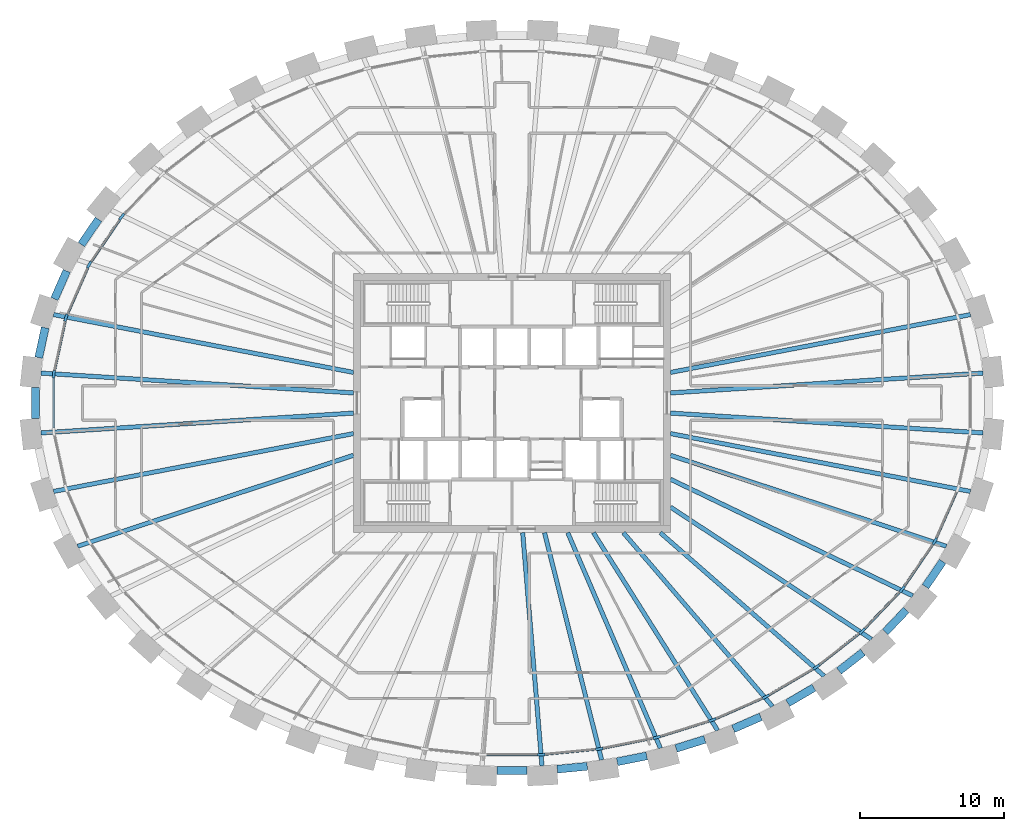
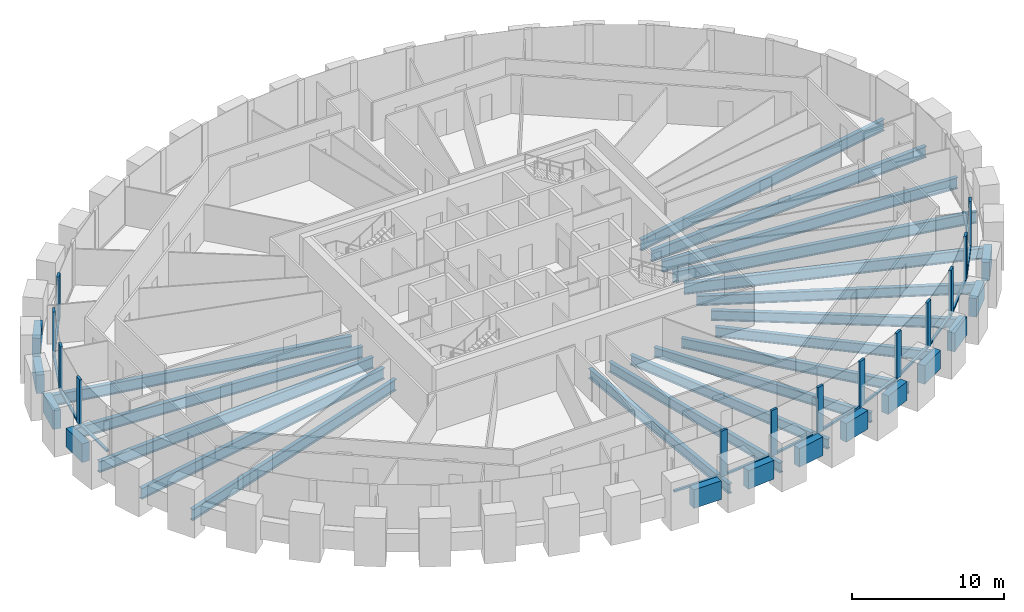
# One storey, part 2 of 12: 31 beams, 27 members, 1 element without a shape of its own.
"""IFC4 building model written with IfcOpenShell, lengths in metres."""

from ifc_helpers import new_model, si_unit, direction, frame, origin, origin_2d, place, context, subcontext, project, spatial, rectangle, i_section, extrude, source, transform, mapped, material, material_profile, profile_set, type_object, element, aggregate, save


model = new_model("IFC4")

# Units and contexts
model_context = context("Model", 3, precision=1e-05, world=origin(), true_north=direction((0.0, 1.0)))
body_context = subcontext(model_context, "Body", "Model", "MODEL_VIEW")
ifc_project = project(units=[si_unit("LENGTHUNIT", "METRE"), si_unit("AREAUNIT", "SQUARE_METRE"), si_unit("VOLUMEUNIT", "CUBIC_METRE"), si_unit("PLANEANGLEUNIT", "RADIAN"), si_unit("MASSUNIT", "GRAM", prefix="KILO")], contexts=[model_context])

# Site, building, storey
site_placement = place(None, origin())
site = spatial("IfcSite", under=ifc_project, at=site_placement, CompositionType="ELEMENT")
building_placement = place(site_placement, origin())
building = spatial("IfcBuilding", under=site, at=building_placement, Name="Embergate Tower", CompositionType="ELEMENT")
storey_placement = place(building_placement, frame((0.0, 0.0, 253.89990234375)))
storey = spatial("IfcBuildingStorey", under=building, at=storey_placement, Name="L58", CompositionType="ELEMENT", Elevation=253.89990234375)

# Beams
ifc_material_1 = material(Name="Concrete C60", Category="concrete")
ifc_material_profile_1 = material_profile(ifc_material_1, rectangle(XDim=0.550048828125, YDim=1.5, at=origin_2d()), Name="RC 550x1500")
ifc_profile_set_1 = profile_set([ifc_material_profile_1], Name="Concrete C60")
beam_type_1 = type_object("IfcBeamType", Name="Spandrel beam RC 550x1500 C60", PredefinedType="BEAM", material=ifc_profile_set_1)
shared_shape_1 = source(origin(), body_context, "Body", "SweptSolid", [
    extrude(rectangle(XDim=0.550048828125, YDim=1.5, at=origin_2d()), origin(), (0.0, 0.0, 1.0), 2.121337890625),
])
beam_1_placement = place(storey_placement, frame((-32.39990234375, 5.222900390625, 0.0), z_axis=(-0.210259959119, -0.977645513257, 0.0), x_axis=(0.977645513257, -0.210259959119, 0.0)))
element("IfcBeam", 1, at=beam_1_placement, inside=storey, type_object=beam_type_1, Name="SPN-L58-20", PredefinedType="BEAM", context=body_context, shape_type="MappedRepresentation", body=[
    mapped(shared_shape_1, transform((0.0, 0.0, 0.0))),
])
shared_shape_2 = source(origin(), body_context, "Body", "SweptSolid", [
    extrude(rectangle(XDim=0.550048828125, YDim=1.5, at=origin_2d()), origin(), (0.0, 0.0, 1.0), 2.118408203125),
])
beam_2_placement = place(storey_placement, frame((-30.903076171875, 9.160888671875, 0.0), z_axis=(-0.401653016285, -0.915791927519, 0.0), x_axis=(0.915791927519, -0.401653016285, 0.0)))
element("IfcBeam", 2, at=beam_2_placement, inside=storey, type_object=beam_type_1, Name="SPN-L58-19", PredefinedType="BEAM", context=body_context, shape_type="MappedRepresentation", body=[
    mapped(shared_shape_2, transform((0.0, 0.0, 0.0))),
])
shared_shape_3 = source(origin(), body_context, "Body", "SweptSolid", [
    extrude(rectangle(XDim=0.550048828125, YDim=1.5, at=origin_2d()), origin(), (0.0, 0.0, 1.0), 2.113525390625),
])
for number, where, z_axis, x_axis, name in (
    (3, (-28.697998046875, 12.74609375, 0.0), (-0.562088832066, -0.827076867569, 0.0), (0.827076867569, -0.562088832066, 0.0), "SPN-L58-18"),
    (4, (28.697998046875, -12.74609375, 0.0), (0.562088832066, 0.827076867569, 0.0), (-0.827076867569, 0.562088832066, 0.0), "SPN-L58-40"),
):
    element("IfcBeam", number, at=place(storey_placement, frame(where, z_axis=z_axis, x_axis=x_axis)), inside=storey, type_object=beam_type_1, Name=name, PredefinedType="BEAM", context=body_context, shape_type="MappedRepresentation", body=[
        mapped(shared_shape_3, transform((0.0, 0.0, 0.0))),
    ])
shared_shape_4 = source(origin(), body_context, "Body", "SweptSolid", [
    extrude(rectangle(XDim=0.550048828125, YDim=1.5, at=origin_2d()), origin(), (0.0, 0.0, 1.0), 2.1064453125),
])
beam_3_placement = place(storey_placement, frame((25.907958984375, -15.89111328125, 0.0), z_axis=(0.690280012813, 0.723542330421, 0.0), x_axis=(-0.723542330421, 0.690280012813, 0.0)))
element("IfcBeam", 5, at=beam_3_placement, inside=storey, type_object=beam_type_1, Name="SPN-L58-39", PredefinedType="BEAM", context=body_context, shape_type="MappedRepresentation", body=[
    mapped(shared_shape_4, transform((0.0, 0.0, 0.0))),
])
shared_shape_5 = source(origin(), body_context, "Body", "SweptSolid", [
    extrude(rectangle(XDim=0.550048828125, YDim=1.5, at=origin_2d()), origin(), (0.0, 0.0, 1.0), 2.101806640625),
])
beam_4_placement = place(storey_placement, frame((22.695068359375, -18.593994140625, 0.0), z_axis=(0.78838173926, 0.615186340227, 0.0), x_axis=(-0.615186340227, 0.78838173926, 0.0)))
element("IfcBeam", 6, at=beam_4_placement, inside=storey, type_object=beam_type_1, Name="SPN-L58-38", PredefinedType="BEAM", context=body_context, shape_type="MappedRepresentation", body=[
    mapped(shared_shape_5, transform((0.0, 0.0, 0.0))),
])
shared_shape_6 = source(origin(), body_context, "Body", "SweptSolid", [
    extrude(rectangle(XDim=0.550048828125, YDim=1.5, at=origin_2d()), origin(), (0.0, 0.0, 1.0), 2.097412109375),
])
beam_5_placement = place(storey_placement, frame((19.138916015625, -20.821044921875, 0.0), z_axis=(0.862059864985, 0.506806461267, 0.0), x_axis=(-0.506806461267, 0.862059864985, 0.0)))
element("IfcBeam", 7, at=beam_5_placement, inside=storey, type_object=beam_type_1, Name="SPN-L58-37", PredefinedType="BEAM", context=body_context, shape_type="MappedRepresentation", body=[
    mapped(shared_shape_6, transform((0.0, 0.0, 0.0))),
])
shared_shape_7 = source(origin(), body_context, "Body", "SweptSolid", [
    extrude(rectangle(XDim=0.550048828125, YDim=1.5, at=origin_2d()), origin(), (0.0, 0.0, 1.0), 2.093994140625),
])
beam_6_placement = place(storey_placement, frame((15.35009765625, -22.614013671875, 0.0), z_axis=(0.916403340616, 0.400256064674, 0.0), x_axis=(-0.400256064674, 0.916403340616, 0.0)))
element("IfcBeam", 8, at=beam_6_placement, inside=storey, type_object=beam_type_1, Name="SPN-L58-36", PredefinedType="BEAM", context=body_context, shape_type="MappedRepresentation", body=[
    mapped(shared_shape_7, transform((0.0, 0.0, 0.0))),
])
shared_shape_8 = source(origin(), body_context, "Body", "SweptSolid", [
    extrude(rectangle(XDim=0.550048828125, YDim=1.5, at=origin_2d()), origin(), (0.0, 0.0, 1.0), 2.092529296875),
])
beam_7_placement = place(storey_placement, frame((11.385009765625, -23.969970703125, 0.0), z_axis=(0.954794982035, 0.297265104378, 0.0), x_axis=(-0.297265104378, 0.954794982035, 0.0)))
element("IfcBeam", 9, at=beam_7_placement, inside=storey, type_object=beam_type_1, Name="SPN-L58-35", PredefinedType="BEAM", context=body_context, shape_type="MappedRepresentation", body=[
    mapped(shared_shape_8, transform((0.0, 0.0, 0.0))),
])
shared_shape_9 = source(origin(), body_context, "Body", "SweptSolid", [
    extrude(rectangle(XDim=0.550048828125, YDim=1.5, at=origin_2d()), origin(), (0.0, 0.0, 1.0), 2.0908203125),
])
beam_8_placement = place(storey_placement, frame((7.300048828125, -24.90087890625, 0.0), z_axis=(0.980499753095, 0.196520314929, 0.0), x_axis=(-0.196520314929, 0.980499753095, 0.0)))
element("IfcBeam", 10, at=beam_8_placement, inside=storey, type_object=beam_type_1, Name="SPN-L58-34", PredefinedType="BEAM", context=body_context, shape_type="MappedRepresentation", body=[
    mapped(shared_shape_9, transform((0.0, 0.0, 0.0))),
])
shared_shape_10 = source(origin(), body_context, "Body", "SweptSolid", [
    extrude(rectangle(XDim=0.550048828125, YDim=1.5, at=origin_2d()), origin(), (0.0, 0.0, 1.0), 2.08984375),
])
for number, where, z_axis, x_axis, name in (
    (11, (-1.044921875, -25.51806640625, 0.0), (1.0, 0.0, 0.0), (0.0, 1.0, 0.0), "SPN-L58-32"),
    (12, (3.14306640625, -25.4150390625, 0.0), (0.995219400888, 0.097664446431, 0.0), (-0.097664446431, 0.995219400888, 0.0), "SPN-L58-33"),
):
    element("IfcBeam", number, at=place(storey_placement, frame(where, z_axis=z_axis, x_axis=x_axis)), inside=storey, type_object=beam_type_1, Name=name, PredefinedType="BEAM", context=body_context, shape_type="MappedRepresentation", body=[
        mapped(shared_shape_10, transform((0.0, 0.0, 0.0))),
    ])
shared_shape_11 = source(origin(), body_context, "Body", "SweptSolid", [
    extrude(rectangle(XDim=0.550048828125, YDim=1.5, at=origin_2d()), origin(), (0.0, 0.0, 1.0), 2.1220703125),
])
beam_9_placement = place(storey_placement, frame((-33.068115234375, 1.06103515625, 0.0), z_axis=(0.0, -1.0, 0.0), x_axis=(1.0, 0.0, 0.0)))
element("IfcBeam", 13, at=beam_9_placement, inside=storey, type_object=beam_type_1, Name="SPN-L58-21", PredefinedType="BEAM", context=body_context, shape_type="MappedRepresentation", body=[
    mapped(shared_shape_11, transform((0.0, 0.0, 0.0))),
])
ifc_material_2 = material(Name="Steel Q355B", Category="steel")
ifc_material_profile_2 = material_profile(ifc_material_2, i_section(OverallWidth=0.300048828125, OverallDepth=0.89990234375, WebThickness=0.01611328125, FlangeThickness=0.028076171875, FilletRadius=0.028076171875, at=origin_2d()), Name="HN 900x300x16x28")
ifc_profile_set_2 = profile_set([ifc_material_profile_2], Name="Steel Q355 grade B")
beam_type_2 = type_object("IfcBeamType", Name="Radial girder HN 900x300x16x28", PredefinedType="BEAM", material=ifc_profile_set_2)
shared_shape_12 = source(origin(), body_context, "Body", "SweptSolid", [
    extrude(i_section(OverallWidth=0.300048828125, OverallDepth=0.89990234375, WebThickness=0.01611328125, FlangeThickness=0.028076171875, FilletRadius=0.028076171875, at=origin_2d()), origin(), (0.0, 0.0, 1.0), 21.73681640625),
])
for number, where, z_axis, x_axis, name in (
    (14, (32.693115234375, 2.076904296875, -0.64990234375), (-0.997988738626, -0.063391462954, 0.0), (0.063391462954, -0.997988738626, 0.0), "GIR-L58-00"),
    (15, (-32.693115234375, 2.076904296875, -0.64990234375), (0.997988738626, -0.063391462954, 0.0), (0.063391462954, 0.997988738626, 0.0), "GIR-L58-21"),
    (16, (-32.693115234375, -2.076904296875, -0.64990234375), (0.997988738626, 0.063391462954, 0.0), (-0.063391462954, 0.997988738626, 0.0), "GIR-L58-22"),
    (17, (32.693115234375, -2.076904296875, -0.64990234375), (-0.997988738626, 0.063391462954, 0.0), (-0.063391462954, -0.997988738626, 0.0), "GIR-L58-43"),
):
    element("IfcBeam", number, at=place(storey_placement, frame(where, z_axis=z_axis, x_axis=x_axis)), inside=storey, type_object=beam_type_2, Name=name, PredefinedType="BEAM", context=body_context, shape_type="MappedRepresentation", body=[
        mapped(shared_shape_12, transform((0.0, 0.0, 0.0))),
    ])
shared_shape_13 = source(origin(), body_context, "Body", "SweptSolid", [
    extrude(i_section(OverallWidth=0.300048828125, OverallDepth=0.89990234375, WebThickness=0.01611328125, FlangeThickness=0.028076171875, FilletRadius=0.028076171875, at=origin_2d()), origin(), (0.0, 0.0, 1.0), 21.202880859375),
])
for number, where, z_axis, x_axis, name in (
    (18, (31.819091796875, 6.137939453125, -0.64990234375), (-0.981899604509, -0.189402129517, 0.0), (0.189402129517, -0.981899604509, 0.0), "GIR-L58-01"),
    (19, (-31.819091796875, 6.137939453125, -0.64990234375), (0.981899604509, -0.189402129517, 0.0), (0.189402129517, 0.981899604509, 0.0), "GIR-L58-20"),
    (20, (-31.819091796875, -6.137939453125, -0.64990234375), (0.981899604509, 0.189402129517, 0.0), (-0.189402129517, 0.981899604509, 0.0), "GIR-L58-23"),
    (21, (31.819091796875, -6.137939453125, -0.64990234375), (-0.981899604509, 0.189402129517, 0.0), (-0.189402129517, -0.981899604509, 0.0), "GIR-L58-42"),
):
    element("IfcBeam", number, at=place(storey_placement, frame(where, z_axis=z_axis, x_axis=x_axis)), inside=storey, type_object=beam_type_2, Name=name, PredefinedType="BEAM", context=body_context, shape_type="MappedRepresentation", body=[
        mapped(shared_shape_13, transform((0.0, 0.0, 0.0))),
    ])
shared_shape_14 = source(origin(), body_context, "Body", "SweptSolid", [
    extrude(i_section(OverallWidth=0.300048828125, OverallDepth=0.89990234375, WebThickness=0.01611328125, FlangeThickness=0.028076171875, FilletRadius=0.028076171875, at=origin_2d()), origin(), (0.0, 0.0, 1.0), 20.164306640625),
])
for number, where, z_axis, x_axis, name in (
    (22, (-30.14990234375, -9.943115234375, -0.64990234375), (0.949691828374, 0.313185936976, 0.0), (-0.313185936976, 0.949691828374, 0.0), "GIR-L58-24"),
    (23, (30.14990234375, -9.943115234375, -0.64990234375), (-0.949691828374, 0.313185936976, 0.0), (-0.313185936976, -0.949691828374, 0.0), "GIR-L58-41"),
):
    element("IfcBeam", number, at=place(storey_placement, frame(where, z_axis=z_axis, x_axis=x_axis)), inside=storey, type_object=beam_type_2, Name=name, PredefinedType="BEAM", context=body_context, shape_type="MappedRepresentation", body=[
        mapped(shared_shape_14, transform((0.0, 0.0, 0.0))),
    ])
ifc_material_profile_3 = material_profile(ifc_material_2, i_section(OverallWidth=0.300048828125, OverallDepth=0.800048828125, WebThickness=0.013916015625, FlangeThickness=0.02587890625, FilletRadius=0.028076171875, at=origin_2d()), Name="HN 800x300x14x26")
ifc_profile_set_3 = profile_set([ifc_material_profile_3], Name="Steel Q355 grade B")
beam_type_3 = type_object("IfcBeamType", Name="Radial girder HN 800x300x14x26", PredefinedType="BEAM", material=ifc_profile_set_3)
shared_shape_15 = source(origin(), body_context, "Body", "SweptSolid", [
    extrude(i_section(OverallWidth=0.300048828125, OverallDepth=0.800048828125, WebThickness=0.013916015625, FlangeThickness=0.02587890625, FilletRadius=0.028076171875, at=origin_2d()), origin(), (0.0, 0.0, 1.0), 18.6572265625),
])
beam_10_placement = place(storey_placement, frame((27.81298828125, -13.3798828125, -0.599853515625), z_axis=(-0.901153541631, 0.433500051218, 0.0), x_axis=(-0.433500051218, -0.901153541631, 0.0)))
element("IfcBeam", 24, at=beam_10_placement, inside=storey, type_object=beam_type_3, Name="GIR-L58-40", PredefinedType="BEAM", context=body_context, shape_type="MappedRepresentation", body=[
    mapped(shared_shape_15, transform((0.0, 0.0, 0.0))),
])
shared_shape_16 = source(origin(), body_context, "Body", "SweptSolid", [
    extrude(i_section(OverallWidth=0.300048828125, OverallDepth=0.800048828125, WebThickness=0.013916015625, FlangeThickness=0.02587890625, FilletRadius=0.028076171875, at=origin_2d()), origin(), (0.0, 0.0, 1.0), 16.683349609375),
])
beam_11_placement = place(storey_placement, frame((24.943115234375, -16.387939453125, -0.599853515625), z_axis=(-0.835753065735, 0.549105466295, 0.0), x_axis=(-0.549105466295, -0.835753065735, 0.0)))
element("IfcBeam", 25, at=beam_11_placement, inside=storey, type_object=beam_type_3, Name="GIR-L58-39", PredefinedType="BEAM", context=body_context, shape_type="MappedRepresentation", body=[
    mapped(shared_shape_16, transform((0.0, 0.0, 0.0))),
])
shared_shape_17 = source(origin(), body_context, "Body", "SweptSolid", [
    extrude(i_section(OverallWidth=0.300048828125, OverallDepth=0.800048828125, WebThickness=0.013916015625, FlangeThickness=0.02587890625, FilletRadius=0.028076171875, at=origin_2d()), origin(), (0.0, 0.0, 1.0), 15.11083984375),
])
beam_12_placement = place(storey_placement, frame((21.666015625, -18.947021484375, -0.599853515625), z_axis=(-0.752776832469, 0.658275808836, 0.0), x_axis=(-0.658275808836, -0.752776832469, 0.0)))
element("IfcBeam", 26, at=beam_12_placement, inside=storey, type_object=beam_type_3, Name="GIR-L58-38", PredefinedType="BEAM", context=body_context, shape_type="MappedRepresentation", body=[
    mapped(shared_shape_17, transform((0.0, 0.0, 0.0))),
])
shared_shape_18 = source(origin(), body_context, "Body", "SweptSolid", [
    extrude(i_section(OverallWidth=0.300048828125, OverallDepth=0.800048828125, WebThickness=0.013916015625, FlangeThickness=0.02587890625, FilletRadius=0.028076171875, at=origin_2d()), origin(), (0.0, 0.0, 1.0), 15.889892578125),
])
beam_13_placement = place(storey_placement, frame((18.080078125, -21.054931640625, -0.599853515625), z_axis=(-0.651489554498, 0.75865760418, 0.0), x_axis=(-0.75865760418, -0.651489554498, 0.0)))
element("IfcBeam", 27, at=beam_13_placement, inside=storey, type_object=beam_type_3, Name="GIR-L58-37", PredefinedType="BEAM", context=body_context, shape_type="MappedRepresentation", body=[
    mapped(shared_shape_18, transform((0.0, 0.0, 0.0))),
])
shared_shape_19 = source(origin(), body_context, "Body", "SweptSolid", [
    extrude(i_section(OverallWidth=0.300048828125, OverallDepth=0.800048828125, WebThickness=0.013916015625, FlangeThickness=0.02587890625, FilletRadius=0.028076171875, at=origin_2d()), origin(), (0.0, 0.0, 1.0), 16.202880859375),
])
beam_14_placement = place(storey_placement, frame((14.27001953125, -22.720947265625, -0.599853515625), z_axis=(-0.531876197459, 0.84682212452, 0.0), x_axis=(-0.84682212452, -0.531876197459, 0.0)))
element("IfcBeam", 28, at=beam_14_placement, inside=storey, type_object=beam_type_3, Name="GIR-L58-36", PredefinedType="BEAM", context=body_context, shape_type="MappedRepresentation", body=[
    mapped(shared_shape_19, transform((0.0, 0.0, 0.0))),
])
shared_shape_20 = source(origin(), body_context, "Body", "SweptSolid", [
    extrude(i_section(OverallWidth=0.300048828125, OverallDepth=0.800048828125, WebThickness=0.013916015625, FlangeThickness=0.02587890625, FilletRadius=0.028076171875, at=origin_2d()), origin(), (0.0, 0.0, 1.0), 16.281494140625),
])
beam_15_placement = place(storey_placement, frame((10.299072265625, -23.9580078125, -0.599853515625), z_axis=(-0.394936126448, 0.918708580577, 0.0), x_axis=(-0.918708580577, -0.394936126448, 0.0)))
element("IfcBeam", 29, at=beam_15_placement, inside=storey, type_object=beam_type_3, Name="GIR-L58-35", PredefinedType="BEAM", context=body_context, shape_type="MappedRepresentation", body=[
    mapped(shared_shape_20, transform((0.0, 0.0, 0.0))),
])
shared_shape_21 = source(origin(), body_context, "Body", "SweptSolid", [
    extrude(i_section(OverallWidth=0.300048828125, OverallDepth=0.800048828125, WebThickness=0.013916015625, FlangeThickness=0.02587890625, FilletRadius=0.028076171875, at=origin_2d()), origin(), (0.0, 0.0, 1.0), 16.265625),
])
beam_16_placement = place(storey_placement, frame((6.219970703125, -24.77587890625, -0.599853515625), z_axis=(-0.243517311552, 0.969896550656, 0.0), x_axis=(-0.969896550656, -0.243517311552, 0.0)))
element("IfcBeam", 30, at=beam_16_placement, inside=storey, type_object=beam_type_3, Name="GIR-L58-34", PredefinedType="BEAM", context=body_context, shape_type="MappedRepresentation", body=[
    mapped(shared_shape_21, transform((0.0, 0.0, 0.0))),
])
shared_shape_22 = source(origin(), body_context, "Body", "SweptSolid", [
    extrude(i_section(OverallWidth=0.300048828125, OverallDepth=0.800048828125, WebThickness=0.013916015625, FlangeThickness=0.02587890625, FilletRadius=0.028076171875, at=origin_2d()), origin(), (0.0, 0.0, 1.0), 16.23828125),
])
beam_17_placement = place(storey_placement, frame((2.080078125, -25.18310546875, -0.599853515625), z_axis=(-0.082346180741, 0.996603786124, 0.0), x_axis=(-0.996603786124, -0.082346180741, 0.0)))
element("IfcBeam", 31, at=beam_17_placement, inside=storey, type_object=beam_type_3, Name="GIR-L58-33", PredefinedType="BEAM", context=body_context, shape_type="MappedRepresentation", body=[
    mapped(shared_shape_22, transform((0.0, 0.0, 0.0))),
])

# Curtain wall, members
ifc_material_3 = material(Name="Aluminium and glass", Category="aluminium")
curtain_wall_type = type_object("IfcCurtainWallType", Name="Recessed office glazing", PredefinedType="NOTDEFINED", material=ifc_material_3)
curtain_wall_placement = place(storey_placement, origin())
curtain_wall = element("IfcCurtainWall", 32, at=curtain_wall_placement, inside=storey, type_object=curtain_wall_type, Name="Recessed office glazing ring", ObjectType="RECESSED OFFICE GLAZING", PredefinedType="USERDEFINED")
ifc_material_4 = material(Name="Aluminium, thermally broken", Category="aluminium")
ifc_material_profile_4 = material_profile(ifc_material_4, rectangle(XDim=0.179931640625, YDim=0.52001953125, at=origin_2d()), Name="AL 520x180")
ifc_profile_set_4 = profile_set([ifc_material_profile_4], Name="Aluminium, thermally broken")
member_type_1 = type_object("IfcMemberType", Name="Office mullion", PredefinedType="MULLION", material=ifc_profile_set_4)
shared_shape_23 = source(origin(), body_context, "Body", "SweptSolid", [
    extrude(rectangle(XDim=0.179931640625, YDim=0.52001953125, at=origin_2d()), origin(), (0.0, 0.0, 1.0), 3.7001953125),
])
member_1_placement = place(storey_placement, frame((-27.0830078125, 12.92822265625, 0.0), z_axis=(0.0, 0.0, 1.0), x_axis=(0.777863789852, -0.628432911643, 0.0)))
member_1 = element("IfcMember", 33, at=member_1_placement, type_object=member_type_1, Name="CW mullion 19", PredefinedType="MULLION", context=body_context, shape_type="MappedRepresentation", body=[
    mapped(shared_shape_23, transform((0.0, 0.0, 0.0))),
])
member_2_placement = place(storey_placement, frame((-29.34619140625, 9.600341796875, 0.0), z_axis=(0.0, 0.0, 1.0), x_axis=(0.874994291193, -0.484133236186, 0.0)))
member_2 = element("IfcMember", 34, at=member_2_placement, type_object=member_type_1, Name="CW mullion 20", PredefinedType="MULLION", context=body_context, shape_type="MappedRepresentation", body=[
    mapped(shared_shape_23, transform((0.0, 0.0, 0.0))),
])
member_3_placement = place(storey_placement, frame((-30.958984375, 5.922607421875, 0.0), z_axis=(0.0, 0.0, 1.0), x_axis=(0.9514940392, -0.307667179542, 0.0)))
member_3 = element("IfcMember", 35, at=member_3_placement, type_object=member_type_1, Name="CW mullion 21", PredefinedType="MULLION", context=body_context, shape_type="MappedRepresentation", body=[
    mapped(shared_shape_23, transform((0.0, 0.0, 0.0))),
])
member_4_placement = place(storey_placement, frame((-31.802490234375, 2.003173828125, 0.0), z_axis=(0.0, 0.0, 1.0), x_axis=(0.994384400633, -0.105828463931, 0.0)))
member_4 = element("IfcMember", 36, at=member_4_placement, type_object=member_type_1, Name="CW mullion 22", PredefinedType="MULLION", context=body_context, shape_type="MappedRepresentation", body=[
    mapped(shared_shape_23, transform((0.0, 0.0, 0.0))),
])
member_5_placement = place(storey_placement, frame((2.02880859375, -24.406494140625, 0.0), z_axis=(0.0, 0.0, 1.0), x_axis=(-0.048970053385, 0.998800247232, 0.0)))
member_5 = element("IfcMember", 37, at=member_5_placement, type_object=member_type_1, Name="CW mullion 34", PredefinedType="MULLION", context=body_context, shape_type="MappedRepresentation", body=[
    mapped(shared_shape_23, transform((0.0, 0.0, 0.0))),
])
member_6_placement = place(storey_placement, frame((6.06689453125, -24.009521484375, 0.0), z_axis=(0.0, 0.0, 1.0), x_axis=(-0.147410656556, 0.989075375456, 0.0)))
member_6 = element("IfcMember", 38, at=member_6_placement, type_object=member_type_1, Name="CW mullion 35", PredefinedType="MULLION", context=body_context, shape_type="MappedRepresentation", body=[
    mapped(shared_shape_23, transform((0.0, 0.0, 0.0))),
])
member_7_placement = place(storey_placement, frame((10.0439453125, -23.2119140625, 0.0), z_axis=(0.0, 0.0, 1.0), x_axis=(-0.247308499144, 0.96893679167, 0.0)))
member_7 = element("IfcMember", 39, at=member_7_placement, type_object=member_type_1, Name="CW mullion 36", PredefinedType="MULLION", context=body_context, shape_type="MappedRepresentation", body=[
    mapped(shared_shape_23, transform((0.0, 0.0, 0.0))),
])
member_8_placement = place(storey_placement, frame((13.914794921875, -22.006591796875, 0.0), z_axis=(0.0, 0.0, 1.0), x_axis=(-0.349497777064, 0.936937193107, 0.0)))
member_8 = element("IfcMember", 40, at=member_8_placement, type_object=member_type_1, Name="CW mullion 37", PredefinedType="MULLION", context=body_context, shape_type="MappedRepresentation", body=[
    mapped(shared_shape_23, transform((0.0, 0.0, 0.0))),
])
member_9_placement = place(storey_placement, frame((17.626220703125, -20.383544921875, 0.0), z_axis=(0.0, 0.0, 1.0), x_axis=(-0.45450516197, 0.8907441034, 0.0)))
member_9 = element("IfcMember", 41, at=member_9_placement, type_object=member_type_1, Name="CW mullion 38", PredefinedType="MULLION", context=body_context, shape_type="MappedRepresentation", body=[
    mapped(shared_shape_23, transform((0.0, 0.0, 0.0))),
])
member_10_placement = place(storey_placement, frame((21.1142578125, -18.3330078125, 0.0), z_axis=(0.0, 0.0, 1.0), x_axis=(-0.562208958301, 0.826995215951, 0.0)))
member_10 = element("IfcMember", 42, at=member_10_placement, type_object=member_type_1, Name="CW mullion 39", PredefinedType="MULLION", context=body_context, shape_type="MappedRepresentation", body=[
    mapped(shared_shape_23, transform((0.0, 0.0, 0.0))),
])
member_11_placement = place(storey_placement, frame((24.299560546875, -15.846923828125, 0.0), z_axis=(0.0, 0.0, 1.0), x_axis=(-0.671217477801, 0.741260478843, 0.0)))
member_11 = element("IfcMember", 43, at=member_11_placement, type_object=member_type_1, Name="CW mullion 40", PredefinedType="MULLION", context=body_context, shape_type="MappedRepresentation", body=[
    mapped(shared_shape_23, transform((0.0, 0.0, 0.0))),
])
member_12_placement = place(storey_placement, frame((27.0830078125, -12.92822265625, 0.0), z_axis=(0.0, 0.0, 1.0), x_axis=(-0.777863789852, 0.628432911643, 0.0)))
member_12 = element("IfcMember", 44, at=member_12_placement, type_object=member_type_1, Name="CW mullion 41", PredefinedType="MULLION", context=body_context, shape_type="MappedRepresentation", body=[
    mapped(shared_shape_23, transform((0.0, 0.0, 0.0))),
])
member_13_placement = place(storey_placement, frame((29.34619140625, -9.600341796875, 0.0), z_axis=(0.0, 0.0, 1.0), x_axis=(-0.874994291193, 0.484133236186, 0.0)))
member_13 = element("IfcMember", 45, at=member_13_placement, type_object=member_type_1, Name="CW mullion 42", PredefinedType="MULLION", context=body_context, shape_type="MappedRepresentation", body=[
    mapped(shared_shape_23, transform((0.0, 0.0, 0.0))),
])
ifc_material_profile_5 = material_profile(ifc_material_4, rectangle(XDim=0.179931640625, YDim=0.14990234375, at=origin_2d()), Name="AL 150x180")
ifc_profile_set_5 = profile_set([ifc_material_profile_5], Name="Aluminium, thermally broken")
member_type_2 = type_object("IfcMemberType", Name="Office sill transom", PredefinedType="USERDEFINED", material=ifc_profile_set_5)
shared_shape_24 = source(origin(), body_context, "Body", "SweptSolid", [
    extrude(rectangle(XDim=0.179931640625, YDim=0.14990234375, at=origin_2d()), origin(), (0.0, 0.0, 1.0), 3.4892578125),
])
member_14_placement = place(storey_placement, frame((-31.013916015625, 5.66845703125, 0.0751953125), z_axis=(-0.21033180344, -0.977630059103, 0.0), x_axis=(0.977630059103, -0.21033180344, 0.0)))
member_14 = element("IfcMember", 46, at=member_14_placement, type_object=member_type_2, Name="CW transom 21.1", ObjectType="TRANSOM", PredefinedType="USERDEFINED", context=body_context, shape_type="MappedRepresentation", body=[
    mapped(shared_shape_24, transform((0.0, 0.0, 0.0))),
])
shared_shape_25 = source(origin(), body_context, "Body", "SweptSolid", [
    extrude(rectangle(XDim=0.179931640625, YDim=0.14990234375, at=origin_2d()), origin(), (0.0, 0.0, 1.0), 3.49609375),
])
member_15_placement = place(storey_placement, frame((-29.450439453125, 9.3623046875, 0.0751953125), z_axis=(-0.401675879714, -0.915781899612, 0.0), x_axis=(0.915781899612, -0.401675879714, 0.0)))
member_15 = element("IfcMember", 47, at=member_15_placement, type_object=member_type_2, Name="CW transom 20.1", ObjectType="TRANSOM", PredefinedType="USERDEFINED", context=body_context, shape_type="MappedRepresentation", body=[
    mapped(shared_shape_25, transform((0.0, 0.0, 0.0))),
])
member_16_placement = place(storey_placement, frame((29.450439453125, -9.3623046875, 0.0751953125), z_axis=(0.401675879714, 0.915781899612, 0.0), x_axis=(-0.915781899612, 0.401675879714, 0.0)))
member_16 = element("IfcMember", 48, at=member_16_placement, type_object=member_type_2, Name="CW transom 42.1", ObjectType="TRANSOM", PredefinedType="USERDEFINED", context=body_context, shape_type="MappedRepresentation", body=[
    mapped(shared_shape_25, transform((0.0, 0.0, 0.0))),
])
shared_shape_26 = source(origin(), body_context, "Body", "SweptSolid", [
    extrude(rectangle(XDim=0.179931640625, YDim=0.14990234375, at=origin_2d()), origin(), (0.0, 0.0, 1.0), 3.504638671875),
])
member_17_placement = place(storey_placement, frame((-27.22900390625, 12.71337890625, 0.0751953125), z_axis=(-0.562376708583, -0.826881150858, 0.0), x_axis=(0.826881150858, -0.562376708583, 0.0)))
member_17 = element("IfcMember", 49, at=member_17_placement, type_object=member_type_2, Name="CW transom 19.1", ObjectType="TRANSOM", PredefinedType="USERDEFINED", context=body_context, shape_type="MappedRepresentation", body=[
    mapped(shared_shape_26, transform((0.0, 0.0, 0.0))),
])
member_18_placement = place(storey_placement, frame((27.22900390625, -12.71337890625, 0.0751953125), z_axis=(0.562376708583, 0.826881150858, 0.0), x_axis=(-0.826881150858, 0.562376708583, 0.0)))
member_18 = element("IfcMember", 50, at=member_18_placement, type_object=member_type_2, Name="CW transom 41.1", ObjectType="TRANSOM", PredefinedType="USERDEFINED", context=body_context, shape_type="MappedRepresentation", body=[
    mapped(shared_shape_26, transform((0.0, 0.0, 0.0))),
])
shared_shape_27 = source(origin(), body_context, "Body", "SweptSolid", [
    extrude(rectangle(XDim=0.179931640625, YDim=0.14990234375, at=origin_2d()), origin(), (0.0, 0.0, 1.0), 3.512939453125),
])
member_19_placement = place(storey_placement, frame((24.47900390625, -15.65869140625, 0.0751953125), z_axis=(0.690159983448, 0.723656822842, 0.0), x_axis=(-0.723656822842, 0.690159983448, 0.0)))
member_19 = element("IfcMember", 51, at=member_19_placement, type_object=member_type_2, Name="CW transom 40.1", ObjectType="TRANSOM", PredefinedType="USERDEFINED", context=body_context, shape_type="MappedRepresentation", body=[
    mapped(shared_shape_27, transform((0.0, 0.0, 0.0))),
])
shared_shape_28 = source(origin(), body_context, "Body", "SweptSolid", [
    extrude(rectangle(XDim=0.179931640625, YDim=0.14990234375, at=origin_2d()), origin(), (0.0, 0.0, 1.0), 3.520263671875),
])
member_20_placement = place(storey_placement, frame((21.3193359375, -18.1728515625, 0.0751953125), z_axis=(0.788309220122, 0.615279264619, 0.0), x_axis=(-0.615279264619, 0.788309220122, 0.0)))
member_20 = element("IfcMember", 52, at=member_20_placement, type_object=member_type_2, Name="CW transom 39.1", ObjectType="TRANSOM", PredefinedType="USERDEFINED", context=body_context, shape_type="MappedRepresentation", body=[
    mapped(shared_shape_28, transform((0.0, 0.0, 0.0))),
])
shared_shape_29 = source(origin(), body_context, "Body", "SweptSolid", [
    extrude(rectangle(XDim=0.179931640625, YDim=0.14990234375, at=origin_2d()), origin(), (0.0, 0.0, 1.0), 3.526123046875),
])
member_21_placement = place(storey_placement, frame((17.850341796875, -20.251708984375, 0.0751953125), z_axis=(0.862058778532, 0.506808309281, 0.0), x_axis=(-0.506808309281, 0.862058778532, 0.0)))
member_21 = element("IfcMember", 53, at=member_21_placement, type_object=member_type_2, Name="CW transom 38.1", ObjectType="TRANSOM", PredefinedType="USERDEFINED", context=body_context, shape_type="MappedRepresentation", body=[
    mapped(shared_shape_29, transform((0.0, 0.0, 0.0))),
])
shared_shape_30 = source(origin(), body_context, "Body", "SweptSolid", [
    extrude(rectangle(XDim=0.179931640625, YDim=0.14990234375, at=origin_2d()), origin(), (0.0, 0.0, 1.0), 3.53076171875),
])
member_22_placement = place(storey_placement, frame((14.15283203125, -21.90234375, 0.0751953125), z_axis=(0.916241422351, 0.400626579209, 0.0), x_axis=(-0.400626579209, 0.916241422351, 0.0)))
member_22 = element("IfcMember", 54, at=member_22_placement, type_object=member_type_2, Name="CW transom 37.1", ObjectType="TRANSOM", PredefinedType="USERDEFINED", context=body_context, shape_type="MappedRepresentation", body=[
    mapped(shared_shape_30, transform((0.0, 0.0, 0.0))),
])
shared_shape_31 = source(origin(), body_context, "Body", "SweptSolid", [
    extrude(rectangle(XDim=0.179931640625, YDim=0.14990234375, at=origin_2d()), origin(), (0.0, 0.0, 1.0), 3.5341796875),
])
member_23_placement = place(storey_placement, frame((10.292236328125, -23.134521484375, 0.0751953125), z_axis=(0.954775746564, 0.297326880342, 0.0), x_axis=(-0.297326880342, 0.954775746564, 0.0)))
member_23 = element("IfcMember", 55, at=member_23_placement, type_object=member_type_2, Name="CW transom 36.1", ObjectType="TRANSOM", PredefinedType="USERDEFINED", context=body_context, shape_type="MappedRepresentation", body=[
    mapped(shared_shape_31, transform((0.0, 0.0, 0.0))),
])
shared_shape_32 = source(origin(), body_context, "Body", "SweptSolid", [
    extrude(rectangle(XDim=0.179931640625, YDim=0.14990234375, at=origin_2d()), origin(), (0.0, 0.0, 1.0), 3.5361328125),
])
member_24_placement = place(storey_placement, frame((6.322021484375, -23.95849609375, 0.0751953125), z_axis=(0.980463661571, 0.196700300811, 0.0), x_axis=(-0.196700300811, 0.980463661571, 0.0)))
member_24 = element("IfcMember", 56, at=member_24_placement, type_object=member_type_2, Name="CW transom 35.1", ObjectType="TRANSOM", PredefinedType="USERDEFINED", context=body_context, shape_type="MappedRepresentation", body=[
    mapped(shared_shape_32, transform((0.0, 0.0, 0.0))),
])
shared_shape_33 = source(origin(), body_context, "Body", "SweptSolid", [
    extrude(rectangle(XDim=0.179931640625, YDim=0.14990234375, at=origin_2d()), origin(), (0.0, 0.0, 1.0), 3.53759765625),
])
member_25_placement = place(storey_placement, frame((-1.768798828125, -24.406494140625, 0.0751953125), z_axis=(1.0, 0.0, 0.0), x_axis=(0.0, 1.0, 0.0)))
member_25 = element("IfcMember", 57, at=member_25_placement, type_object=member_type_2, Name="CW transom 33.1", ObjectType="TRANSOM", PredefinedType="USERDEFINED", context=body_context, shape_type="MappedRepresentation", body=[
    mapped(shared_shape_33, transform((0.0, 0.0, 0.0))),
])
member_26_placement = place(storey_placement, frame((2.28759765625, -24.381103515625, 0.0751953125), z_axis=(0.99519983538, 0.097863617654, 0.0), x_axis=(-0.097863617654, 0.99519983538, 0.0)))
member_26 = element("IfcMember", 58, at=member_26_placement, type_object=member_type_2, Name="CW transom 34.1", ObjectType="TRANSOM", PredefinedType="USERDEFINED", context=body_context, shape_type="MappedRepresentation", body=[
    mapped(shared_shape_33, transform((0.0, 0.0, 0.0))),
])
shared_shape_34 = source(origin(), body_context, "Body", "SweptSolid", [
    extrude(rectangle(XDim=0.179931640625, YDim=0.14990234375, at=origin_2d()), origin(), (0.0, 0.0, 1.0), 3.486328125),
])
member_27_placement = place(storey_placement, frame((-31.802490234375, 1.7431640625, 0.0751953125), z_axis=(0.0, -1.0, 0.0), x_axis=(1.0, 0.0, 0.0)))
member_27 = element("IfcMember", 59, at=member_27_placement, type_object=member_type_2, Name="CW transom 22.1", ObjectType="TRANSOM", PredefinedType="USERDEFINED", context=body_context, shape_type="MappedRepresentation", body=[
    mapped(shared_shape_34, transform((0.0, 0.0, 0.0))),
])
aggregate(curtain_wall, [member_1, member_2, member_3, member_4, member_5, member_6, member_7, member_8, member_9, member_10, member_11, member_12, member_13, member_17, member_15, member_14, member_27, member_25, member_26, member_24, member_23, member_22, member_21, member_20, member_19, member_18, member_16])

save(model, "model.ifc")
